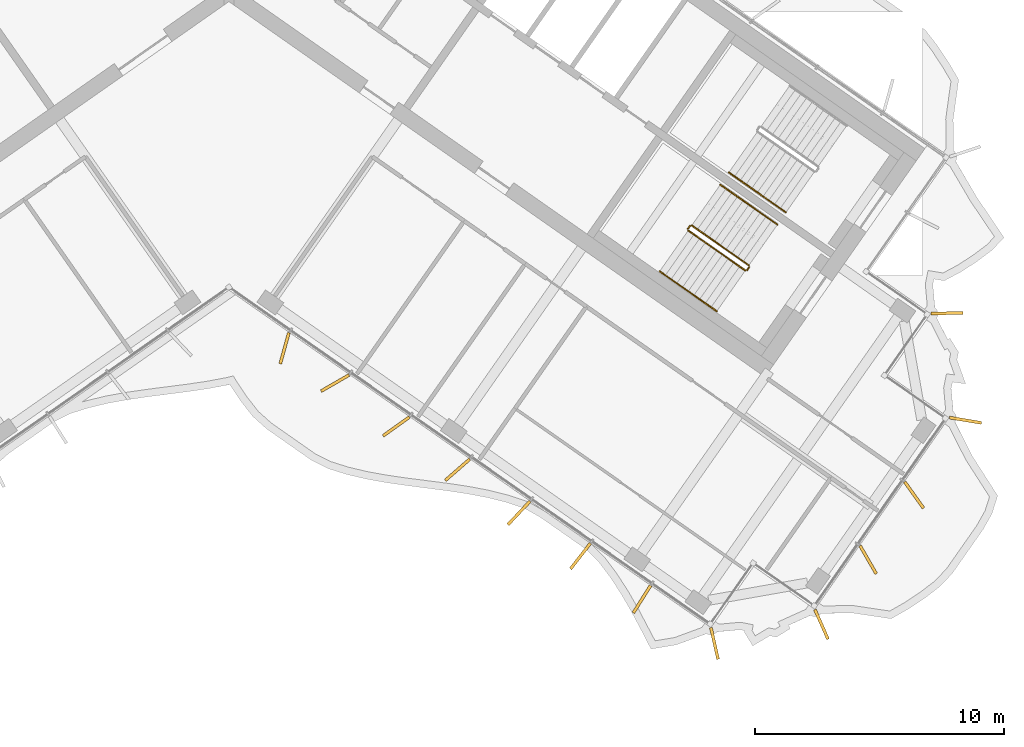
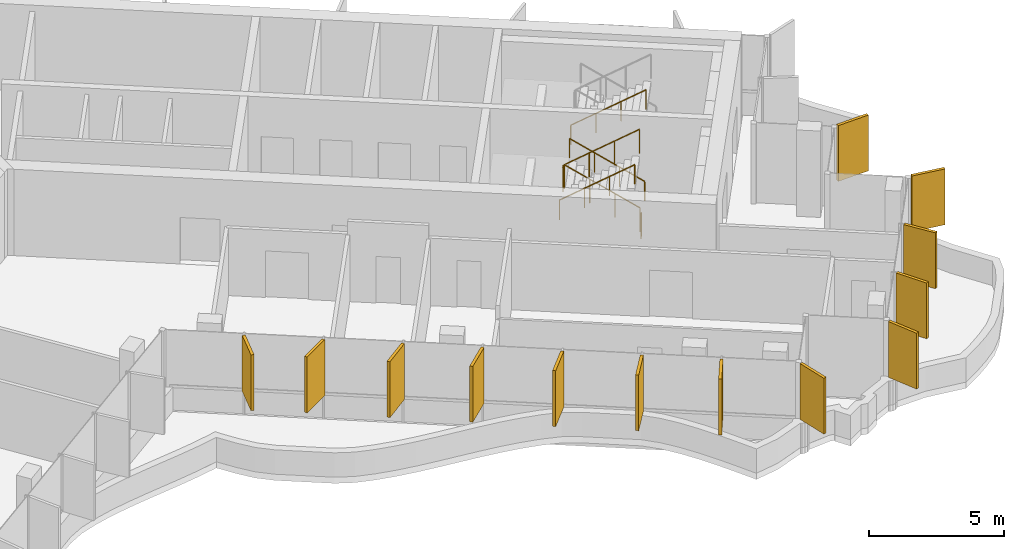
# One storey, part 15 of 17: 13 shading devices, 7 railings.
"""IFC4 building model written with IfcOpenShell, lengths in metres."""

from ifc_helpers import new_model, si_unit, direction, frame, origin, origin_2d, place, context, subcontext, project, spatial, rectangle, circle, extrude, material, layer, layer_set, type_object, element, save


model = new_model("IFC4")

# Units and contexts
model_context = context("Model", 3, precision=1e-05, world=origin(), true_north=direction((0.0, 1.0)))
body_context = subcontext(model_context, "Body", "Model", "MODEL_VIEW")
ifc_project = project(units=[si_unit("LENGTHUNIT", "METRE"), si_unit("AREAUNIT", "SQUARE_METRE"), si_unit("VOLUMEUNIT", "CUBIC_METRE"), si_unit("PLANEANGLEUNIT", "RADIAN"), si_unit("MASSUNIT", "GRAM", prefix="KILO")], contexts=[model_context])

# Site, building, storey
site_placement = place(None, origin())
site = spatial("IfcSite", under=ifc_project, at=site_placement, CompositionType="ELEMENT")
building_placement = place(site_placement, origin())
building = spatial("IfcBuilding", under=site, at=building_placement, Name="Tel Ilan Convention Tower", CompositionType="ELEMENT")
storey_placement = place(building_placement, frame((0.0, 0.0, 283.89990234375)))
storey = spatial("IfcBuildingStorey", under=building, at=storey_placement, Name="L67", CompositionType="ELEMENT", Elevation=283.89990234375)

# Shading devices
ifc_material_1 = material(Name="Aluminium, bronze anodised", Category="aluminium")
ifc_layer = layer(ifc_material_1, 0.1201171875)
ifc_layer_set = layer_set([ifc_layer], Name="FIN BRONZE 1300x120")
shading_device_type = type_object("IfcShadingDeviceType", Name="FIN BRONZE 1300x120", PredefinedType="USERDEFINED", material=ifc_layer_set)
for number, where, z_axis, x_axis, name in (
    (1, (2.23583984375, -15.15576171875, 1.10009765625), (0.0, 0.0, 1.0), (-0.268172612768, -0.963370878614, 0.0), "FIN"),
    (2, (4.265625, -16.554443359375, 1.10009765625), (0.0, 0.0, 1.0), (-0.866025403784, -0.5, 0.0), "FIN"),
    (3, (6.72412109375, -18.298583984375, 1.10009765625), (0.0, 0.0, 1.0), (-0.813552070258, -0.581492071294, 0.0), "FIN"),
    (4, (9.18798828125, -20.038818359375, 1.10009765625), (0.0, 0.0, 1.0), (-0.753435896329, -0.657521368568, 0.0), "FIN"),
    (5, (11.65625, -21.775146484375, 1.10009765625), (0.0, 0.0, 1.0), (-0.686241637865, -0.727373641577, 0.0), "FIN"),
    (6, (14.12890625, -23.5068359375, 1.10009765625), (0.0, 0.0, 1.0), (-0.612600545196, -0.790392669516, 0.0), "FIN"),
    (7, (16.601806640625, -25.23828125, 1.10009765625), (0.0, 0.0, 1.0), (-0.533204432798, -0.845986425922, 0.0), "FIN"),
    (8, (19.515380859375, -27.018310546875, 1.10009765625), (0.0, 0.0, 1.0), (0.221170268371, -0.975235208752, 0.0), "FIN"),
    (9, (23.81494140625, -26.253173828125, 1.10009765625), (0.0, 0.0, 1.0), (0.404964282034, -0.914332505315, 0.0), "FIN"),
    (10, (25.69189453125, -23.65576171875, 1.10009765625), (0.0, 0.0, 1.0), (0.5, -0.866025403784, 0.0), "FIN"),
    (11, (27.53759765625, -21.0517578125, 1.10009765625), (0.0, 0.0, 1.0), (0.581492071294, -0.813552070258, 0.0), "FIN"),
    (12, (29.601318359375, -18.048583984375, 1.10009765625), (0.0, 0.0, 1.0), (0.986445172547, -0.16409119891, 0.0), "FIN"),
    (13, (28.862060546875, -13.74658203125, 1.10009765625), (0.0, 0.0, 1.0), (0.999576950082, 0.029084718749, 0.0), "FIN"),
):
    element("IfcShadingDevice", number, at=place(storey_placement, frame(where, z_axis=z_axis, x_axis=x_axis)), inside=storey, type_object=shading_device_type, Name=name, ObjectType="FIN", PredefinedType="USERDEFINED", context=body_context, shape_type="SweptSolid", body=[
        extrude(rectangle(XDim=1.300048828125, YDim=0.1201171875, at=origin_2d()), origin(), (0.0, 0.0, 1.0), 2.52001953125),
    ])

# Railings
ifc_material_2 = material(Name="Stainless Steel Grade 316", Category="steel")
railing_type_1 = type_object("IfcRailingType", Name="Stainless Steel Stair Guard 1100 mm", PredefinedType="GUARDRAIL", material=ifc_material_2)
railing_1_placement = place(storey_placement, frame((20.89697265625, -11.824462890625, 0.177490234375)))
element("IfcRailing", 14, at=railing_1_placement, inside=storey, type_object=railing_type_1, Name="L67 S4 stair guard 1", PredefinedType="GUARDRAIL", context=body_context, shape_type="SweptSolid", body=[
    extrude(circle(Radius=0.02392578125, at=origin_2d()), frame((0.0, 0.0, 1.076171875), z_axis=(-0.692123088272, 0.484596665743, 0.534912798717), x_axis=(-0.573550118428, -0.819170471667, 0.0)), (0.0, 0.0, 1.0), 3.31396484375),
    extrude(circle(Radius=0.02099609375, at=origin_2d()), origin(), (0.0, 0.0, 1.0), 1.052001953125),
    extrude(circle(Radius=0.02099609375, at=origin_2d()), frame((-0.7646484375, 0.535400390625, 0.5908203125)), (0.0, 0.0, 1.0), 1.052001953125),
    extrude(circle(Radius=0.02099609375, at=origin_2d()), frame((-1.529052734375, 1.070556640625, 1.181884765625)), (0.0, 0.0, 1.0), 1.052001953125),
    extrude(circle(Radius=0.02099609375, at=origin_2d()), frame((-2.293701171875, 1.60595703125, 1.772705078125)), (0.0, 0.0, 1.0), 1.052001953125),
])
railing_2_placement = place(storey_placement, frame((18.53369140625, -10.230712890625, 1.9501953125)))
element("IfcRailing", 15, at=railing_2_placement, inside=storey, type_object=railing_type_1, Name="L67 S4 stair guard 2", PredefinedType="GUARDRAIL", context=body_context, shape_type="SweptSolid", body=[
    extrude(circle(Radius=0.02392578125, at=origin_2d()), frame((0.0, 0.0, 1.076171875), z_axis=(-0.573353020881, -0.819308436089, 0.0), x_axis=(0.819308436089, -0.573353020881, 0.0)), (0.0, 0.0, 1.0), 0.14990234375),
    extrude(circle(Radius=0.02099609375, at=origin_2d()), origin(), (0.0, 0.0, 1.0), 1.052001953125),
    extrude(circle(Radius=0.02099609375, at=origin_2d()), frame((-0.0859375, -0.122802734375, 0.0)), (0.0, 0.0, 1.0), 1.052001953125),
])
railing_3_placement = place(storey_placement, frame((18.4599609375, -10.423095703125, 2.12744140625)))
element("IfcRailing", 16, at=railing_3_placement, inside=storey, type_object=railing_type_1, Name="L67 S4 stair guard 3", PredefinedType="GUARDRAIL", context=body_context, shape_type="SweptSolid", body=[
    extrude(circle(Radius=0.02392578125, at=origin_2d()), frame((0.0, 0.0, 1.076171875), z_axis=(0.692098378994, -0.484653031975, 0.534893701956), x_axis=(0.573608623498, 0.819129505664, 0.0)), (0.0, 0.0, 1.0), 3.314208984375),
    extrude(circle(Radius=0.02099609375, at=origin_2d()), origin(), (0.0, 0.0, 1.0), 1.052001953125),
    extrude(circle(Radius=0.02099609375, at=origin_2d()), frame((0.7646484375, -0.535400390625, 0.5908203125)), (0.0, 0.0, 1.0), 1.052001953125),
    extrude(circle(Radius=0.02099609375, at=origin_2d()), frame((1.529052734375, -1.07080078125, 1.181884765625)), (0.0, 0.0, 1.0), 1.052001953125),
    extrude(circle(Radius=0.02099609375, at=origin_2d()), frame((2.293701171875, -1.606201171875, 1.772705078125)), (0.0, 0.0, 1.0), 1.052001953125),
])
railing_4_placement = place(storey_placement, frame((20.9091796875, -11.89404296875, 0.0)))
element("IfcRailing", 17, at=railing_4_placement, inside=storey, type_object=railing_type_1, Name="L67 S4 stair guard 4", PredefinedType="GUARDRAIL", context=body_context, shape_type="SweptSolid", body=[
    extrude(circle(Radius=0.02392578125, at=origin_2d()), frame((0.0, 0.0, 1.076171875), z_axis=(-0.573353020881, -0.819308436089, 0.0), x_axis=(0.819308436089, -0.573353020881, 0.0)), (0.0, 0.0, 1.0), 0.14990234375),
    extrude(circle(Radius=0.02099609375, at=origin_2d()), origin(), (0.0, 0.0, 1.0), 1.052001953125),
    extrude(circle(Radius=0.02099609375, at=origin_2d()), frame((-0.0859375, -0.122802734375, 0.0)), (0.0, 0.0, 1.0), 1.052001953125),
])
ifc_material_3 = material(Name="Stainless Steel Grade 316", Category="steel")
railing_type_2 = type_object("IfcRailingType", Name="Stainless Steel Stair Handrail 900 mm", PredefinedType="HANDRAIL", material=ifc_material_3)
railing_5_placement = place(storey_placement, frame((20.0947265625, -8.088623046875, 2.12744140625)))
element("IfcRailing", 18, at=railing_5_placement, inside=storey, type_object=railing_type_2, Name="L67 S3 stair handrail 2", PredefinedType="HANDRAIL", context=body_context, shape_type="SweptSolid", body=[
    extrude(circle(Radius=0.02392578125, at=origin_2d()), frame((0.0, 0.0, 0.8759765625), z_axis=(0.692084706163, -0.484621375041, 0.534940073605), x_axis=(0.573591086599, 0.819141785879, 0.0)), (0.0, 0.0, 1.0), 3.313720703125),
    extrude(circle(Radius=0.02099609375, at=origin_2d()), origin(), (0.0, 0.0, 1.0), 0.851806640625),
    extrude(circle(Radius=0.02099609375, at=origin_2d()), frame((0.764404296875, -0.535400390625, 0.5908203125)), (0.0, 0.0, 1.0), 0.851806640625),
    extrude(circle(Radius=0.02099609375, at=origin_2d()), frame((1.529052734375, -1.070556640625, 1.181884765625)), (0.0, 0.0, 1.0), 0.851806640625),
    extrude(circle(Radius=0.02099609375, at=origin_2d()), frame((2.29345703125, -1.60595703125, 1.772705078125)), (0.0, 0.0, 1.0), 0.851806640625),
])
railing_6_placement = place(storey_placement, frame((22.044189453125, -10.18603515625, 0.177490234375)))
element("IfcRailing", 19, at=railing_6_placement, inside=storey, type_object=railing_type_2, Name="L67 S4 stair handrail 1", PredefinedType="HANDRAIL", context=body_context, shape_type="SweptSolid", body=[
    extrude(circle(Radius=0.02392578125, at=origin_2d()), frame((0.0, 0.0, 0.8759765625), z_axis=(-0.692123088272, 0.484596665743, 0.534912798717), x_axis=(-0.573550118428, -0.819170471667, 0.0)), (0.0, 0.0, 1.0), 3.31396484375),
    extrude(circle(Radius=0.02099609375, at=origin_2d()), origin(), (0.0, 0.0, 1.0), 0.851806640625),
    extrude(circle(Radius=0.02099609375, at=origin_2d()), frame((-0.7646484375, 0.535400390625, 0.5908203125)), (0.0, 0.0, 1.0), 0.851806640625),
    extrude(circle(Radius=0.02099609375, at=origin_2d()), frame((-1.529052734375, 1.070556640625, 1.181884765625)), (0.0, 0.0, 1.0), 0.851806640625),
    extrude(circle(Radius=0.02099609375, at=origin_2d()), frame((-2.293701171875, 1.60595703125, 1.772705078125)), (0.0, 0.0, 1.0), 0.851806640625),
])
railing_7_placement = place(storey_placement, frame((17.312744140625, -12.0615234375, 2.12744140625)))
element("IfcRailing", 20, at=railing_7_placement, inside=storey, type_object=railing_type_2, Name="L67 S4 stair handrail 2", PredefinedType="HANDRAIL", context=body_context, shape_type="SweptSolid", body=[
    extrude(circle(Radius=0.02392578125, at=origin_2d()), frame((0.0, 0.0, 0.8759765625), z_axis=(0.692123088272, -0.484596665743, 0.534912798717), x_axis=(0.573550118428, 0.819170471667, 0.0)), (0.0, 0.0, 1.0), 3.31396484375),
    extrude(circle(Radius=0.02099609375, at=origin_2d()), origin(), (0.0, 0.0, 1.0), 0.851806640625),
    extrude(circle(Radius=0.02099609375, at=origin_2d()), frame((0.7646484375, -0.535400390625, 0.5908203125)), (0.0, 0.0, 1.0), 0.851806640625),
    extrude(circle(Radius=0.02099609375, at=origin_2d()), frame((1.529052734375, -1.070556640625, 1.181884765625)), (0.0, 0.0, 1.0), 0.851806640625),
    extrude(circle(Radius=0.02099609375, at=origin_2d()), frame((2.293701171875, -1.60595703125, 1.772705078125)), (0.0, 0.0, 1.0), 0.851806640625),
])

save(model, "model.ifc")
